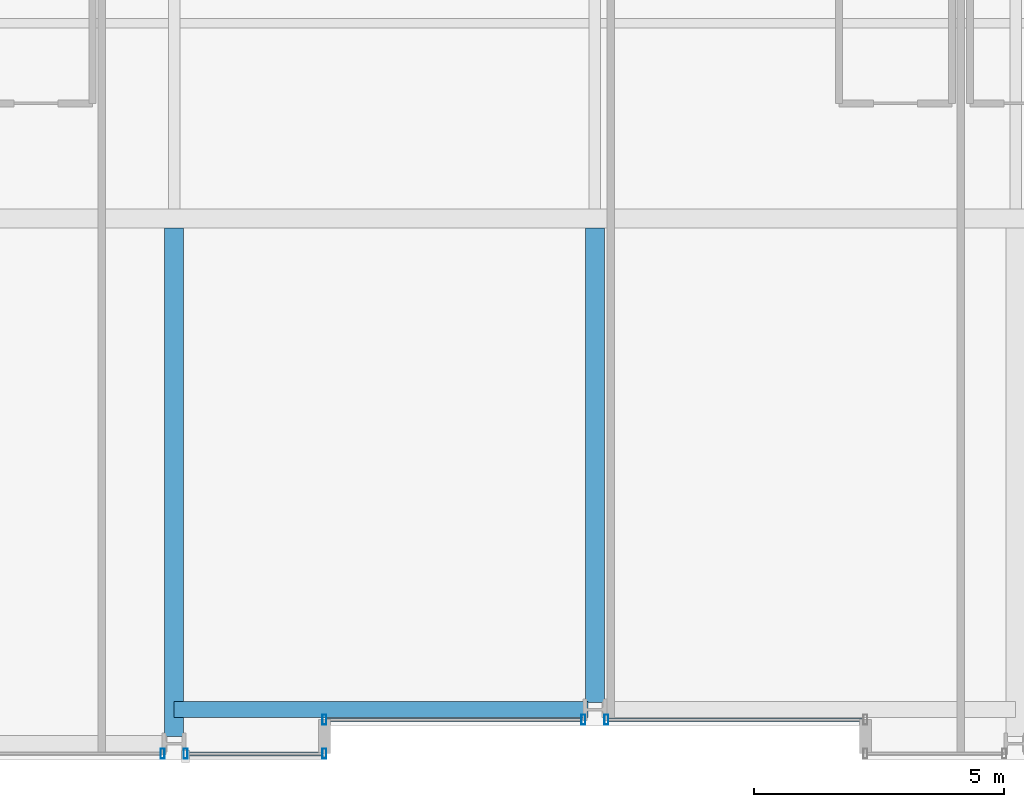
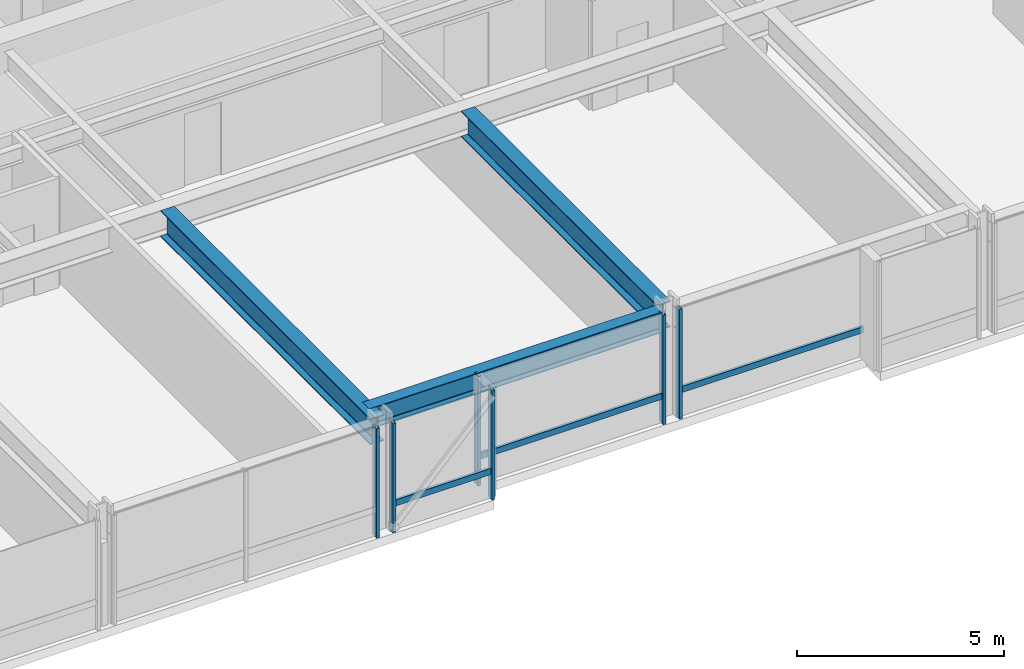
# One storey, part 5 of 37: 9 members, 3 beams, 4 elements without a shape of their own.
"""IFC4 building model written with IfcOpenShell, lengths in metres."""

from ifc_helpers import new_model, si_unit, direction, frame, origin, origin_2d, place, context, subcontext, project, spatial, hollow_rectangle, i_section, extrude, material, layer, layer_set, material_profile, profile_set, type_object, element, aggregate, save


model = new_model("IFC4")

# Units and contexts
model_context = context("Model", 3, precision=1e-05, world=origin(), true_north=direction((0.0, 1.0)))
body_context = subcontext(model_context, "Body", "Model", "MODEL_VIEW")
ifc_project = project(units=[si_unit("LENGTHUNIT", "METRE"), si_unit("AREAUNIT", "SQUARE_METRE"), si_unit("VOLUMEUNIT", "CUBIC_METRE"), si_unit("PLANEANGLEUNIT", "RADIAN"), si_unit("MASSUNIT", "GRAM", prefix="KILO")], contexts=[model_context])

# Site, building, storey
site_placement = place(None, origin())
site = spatial("IfcSite", under=ifc_project, at=site_placement, CompositionType="ELEMENT")
building_placement = place(site_placement, origin())
building = spatial("IfcBuilding", under=site, at=building_placement, Name="Drelvath Grand Hotel", CompositionType="ELEMENT")
storey_placement = place(building_placement, frame((0.0, 0.0, 75.199951171875)))
storey = spatial("IfcBuildingStorey", under=building, at=storey_placement, Name="L18", CompositionType="ELEMENT", Elevation=75.199951171875)

# Curtain wall, member
ifc_material_1 = material(Name="Warm Bronze Anodised Aluminium Frame", Category="aluminium")
ifc_layer = layer(ifc_material_1, 0.199951171875)
ifc_layer_set = layer_set([ifc_layer], Name="Warm Bronze Anodised Aluminium Frame")
curtain_wall_type = type_object("IfcCurtainWallType", Name="Stick Curtain Wall CW-02 Warm Bronze Low-Rise", PredefinedType="NOTDEFINED", material=ifc_layer_set)
curtain_wall_1_placement = place(storey_placement, origin())
curtain_wall_1 = element("IfcCurtainWall", 1, at=curtain_wall_1_placement, inside=storey, type_object=curtain_wall_type, Name="L18 CW-02 Curtain Wall CW02-L18-SM1", PredefinedType="NOTDEFINED")
ifc_material_profile_1 = material_profile(ifc_material_1, hollow_rectangle(XDim=0.074951171875, YDim=0.179931640625, WallThickness=0.0048828125, at=origin_2d()), Name="HSS180X75X5")
ifc_profile_set_1 = profile_set([ifc_material_profile_1], Name="Warm Bronze Anodised Aluminium Frame")
member_type_1 = type_object("IfcMemberType", Name="Curtain Wall Horizontal Transom CW-02 HSS180X75X5", PredefinedType="USERDEFINED", material=ifc_profile_set_1)
member_1_placement = place(storey_placement, frame((-0.26904296875, 0.800048828125, 0.81005859375), z_axis=(-1.0, 0.0, 0.0), x_axis=(0.0, -1.0, 0.0)))
member_1 = element("IfcMember", 2, at=member_1_placement, type_object=member_type_1, Name="CW02-L18-SM1 Sill Transom", ObjectType="TRANSOM", PredefinedType="USERDEFINED", context=body_context, shape_type="SweptSolid", body=[
    extrude(hollow_rectangle(XDim=0.074951171875, YDim=0.179931640625, WallThickness=0.0048828125, at=origin_2d()), origin(), (0.0, 0.0, 1.0), 5.091064453125),
])

curtain_wall_2_placement = place(storey_placement, origin())
curtain_wall_2 = element("IfcCurtainWall", 3, at=curtain_wall_2_placement, inside=storey, type_object=curtain_wall_type, Name="L18 CW-02 Curtain Wall CW02-L18-SM2", PredefinedType="NOTDEFINED")
member_2_placement = place(storey_placement, frame((5.360107421875, 0.800048828125, 0.81005859375), z_axis=(-1.0, 0.0, 0.0), x_axis=(0.0, -1.0, 0.0)))
member_2 = element("IfcMember", 4, at=member_2_placement, type_object=member_type_1, Name="CW02-L18-SM2 Sill Transom", ObjectType="TRANSOM", PredefinedType="USERDEFINED", context=body_context, shape_type="SweptSolid", body=[
    extrude(hollow_rectangle(XDim=0.074951171875, YDim=0.179931640625, WallThickness=0.0048828125, at=origin_2d()), origin(), (0.0, 0.0, 1.0), 5.091064453125),
])

curtain_wall_3_placement = place(storey_placement, origin())
curtain_wall_3 = element("IfcCurtainWall", 5, at=curtain_wall_3_placement, inside=storey, type_object=curtain_wall_type, Name="L18 CW-02 Curtain Wall CW02-L18-SW3", PredefinedType="NOTDEFINED")
member_3_placement = place(storey_placement, frame((-5.43994140625, 0.1201171875, 0.81005859375), z_axis=(-1.0, 0.0, 0.0), x_axis=(0.0, -1.0, 0.0)))
member_3 = element("IfcMember", 6, at=member_3_placement, type_object=member_type_1, Name="CW02-L18-SW3 Sill Transom", ObjectType="TRANSOM", PredefinedType="USERDEFINED", context=body_context, shape_type="SweptSolid", body=[
    extrude(hollow_rectangle(XDim=0.074951171875, YDim=0.179931640625, WallThickness=0.0048828125, at=origin_2d()), origin(), (0.0, 0.0, 1.0), 2.69091796875),
])

# Member
ifc_material_profile_2 = material_profile(ifc_material_1, hollow_rectangle(XDim=0.080078125, YDim=0.199951171875, WallThickness=0.0048828125, at=origin_2d()), Name="HSS200X80X5")
ifc_profile_set_2 = profile_set([ifc_material_profile_2], Name="Warm Bronze Anodised Aluminium Frame")
member_type_2 = type_object("IfcMemberType", Name="Curtain Wall Vertical Mullion CW-02 HSS200X80X5", PredefinedType="MULLION", material=ifc_profile_set_2)
member_4_placement = place(storey_placement, frame((-0.22900390625, 0.800048828125, 0.0), z_axis=(0.0, 0.0, 1.0), x_axis=(1.0, 0.0, 0.0)))
member_4 = element("IfcMember", 7, at=member_4_placement, type_object=member_type_2, Name="CW02-L18-SM1 Mullion 1", PredefinedType="MULLION", context=body_context, shape_type="SweptSolid", body=[
    extrude(hollow_rectangle(XDim=0.080078125, YDim=0.199951171875, WallThickness=0.0048828125, at=origin_2d()), origin(), (0.0, 0.0, 1.0), 3.239990234375),
])

member_5_placement = place(storey_placement, frame((-5.39990234375, 0.800048828125, 0.0), z_axis=(0.0, 0.0, 1.0), x_axis=(1.0, 0.0, 0.0)))
member_5 = element("IfcMember", 8, at=member_5_placement, type_object=member_type_2, Name="CW02-L18-SM1 Mullion 2", PredefinedType="MULLION", context=body_context, shape_type="SweptSolid", body=[
    extrude(hollow_rectangle(XDim=0.080078125, YDim=0.199951171875, WallThickness=0.0048828125, at=origin_2d()), origin(), (0.0, 0.0, 1.0), 3.239990234375),
])

aggregate(curtain_wall_1, [member_4, member_5, member_1])

member_6_placement = place(storey_placement, frame((0.22900390625, 0.800048828125, 0.0), z_axis=(0.0, 0.0, 1.0), x_axis=(1.0, 0.0, 0.0)))
member_6 = element("IfcMember", 9, at=member_6_placement, type_object=member_type_2, Name="CW02-L18-SM2 Mullion 2", PredefinedType="MULLION", context=body_context, shape_type="SweptSolid", body=[
    extrude(hollow_rectangle(XDim=0.080078125, YDim=0.199951171875, WallThickness=0.0048828125, at=origin_2d()), origin(), (0.0, 0.0, 1.0), 3.239990234375),
])

aggregate(curtain_wall_2, [member_6, member_2])

# Curtain wall, member
curtain_wall_4_placement = place(storey_placement, origin())
curtain_wall_4 = element("IfcCurtainWall", 10, at=curtain_wall_4_placement, inside=storey, type_object=curtain_wall_type, Name="L18 CW-02 Curtain Wall CW02-L18-SW2", PredefinedType="NOTDEFINED")
member_7_placement = place(storey_placement, frame((-8.629150390625, 0.1201171875, 0.0), z_axis=(0.0, 0.0, 1.0), x_axis=(1.0, 0.0, 0.0)))
member_7 = element("IfcMember", 11, at=member_7_placement, type_object=member_type_2, Name="CW02-L18-SW2 Mullion 1", PredefinedType="MULLION", context=body_context, shape_type="SweptSolid", body=[
    extrude(hollow_rectangle(XDim=0.080078125, YDim=0.199951171875, WallThickness=0.0048828125, at=origin_2d()), origin(), (0.0, 0.0, 1.0), 3.239990234375),
])
aggregate(curtain_wall_4, [member_7])

# Member
member_8_placement = place(storey_placement, frame((-5.39990234375, 0.1201171875, 0.0), z_axis=(0.0, 0.0, 1.0), x_axis=(1.0, 0.0, 0.0)))
member_8 = element("IfcMember", 12, at=member_8_placement, type_object=member_type_2, Name="CW02-L18-SW3 Mullion 1", PredefinedType="MULLION", context=body_context, shape_type="SweptSolid", body=[
    extrude(hollow_rectangle(XDim=0.080078125, YDim=0.199951171875, WallThickness=0.0048828125, at=origin_2d()), origin(), (0.0, 0.0, 1.0), 3.239990234375),
])

member_9_placement = place(storey_placement, frame((-8.1708984375, 0.1201171875, 0.0), z_axis=(0.0, 0.0, 1.0), x_axis=(1.0, 0.0, 0.0)))
member_9 = element("IfcMember", 13, at=member_9_placement, type_object=member_type_2, Name="CW02-L18-SW3 Mullion 2", PredefinedType="MULLION", context=body_context, shape_type="SweptSolid", body=[
    extrude(hollow_rectangle(XDim=0.080078125, YDim=0.199951171875, WallThickness=0.0048828125, at=origin_2d()), origin(), (0.0, 0.0, 1.0), 3.239990234375),
])

aggregate(curtain_wall_3, [member_8, member_9, member_3])

# Beams
ifc_material_2 = material(Name="Steel ASTM A992 Gr 50", Category="steel")
ifc_material_profile_3 = material_profile(ifc_material_2, i_section(OverallWidth=0.323974609375, OverallDepth=0.611083984375, WebThickness=0.0126953125, FlangeThickness=0.01904296875, FilletRadius=0.02197265625, at=origin_2d()), Name="W24X104")
ifc_profile_set_3 = profile_set([ifc_material_profile_3], Name="Steel ASTM A992 Gr 50")
beam_type_1 = type_object("IfcBeamType", Name="Perimeter Spandrel Beam W24X104", PredefinedType="SPANDREL", material=ifc_profile_set_3)
beam_1_placement = place(storey_placement, frame((-8.39990234375, 1.0, 2.9345703125), z_axis=(1.0, 0.0, 0.0), x_axis=(0.0, 1.0, 0.0)))
element("IfcBeam", 14, at=beam_1_placement, inside=storey, type_object=beam_type_1, Name="L18 Spandrel South Mid W", PredefinedType="SPANDREL", context=body_context, shape_type="SweptSolid", body=[
    extrude(i_section(OverallWidth=0.323974609375, OverallDepth=0.611083984375, WebThickness=0.0126953125, FlangeThickness=0.01904296875, FilletRadius=0.02197265625, at=origin_2d()), origin(), (0.0, 0.0, 1.0), 8.260009765625),
])
ifc_material_profile_4 = material_profile(ifc_material_2, i_section(OverallWidth=0.380615234375, OverallDepth=0.773193359375, WebThickness=0.0166015625, FlangeThickness=0.027099609375, FilletRadius=0.02490234375, at=origin_2d()), Name="W30X173")
ifc_profile_set_4 = profile_set([ifc_material_profile_4], Name="Steel ASTM A992 Gr 50")
beam_type_2 = type_object("IfcBeamType", Name="Primary Floor Girder W30X173", PredefinedType="BEAM", material=ifc_profile_set_4)
beam_2_placement = place(storey_placement, frame((-8.39990234375, 0.4599609375, 2.853515625), z_axis=(0.0, 1.0, 0.0), x_axis=(-1.0, 0.0, 0.0)))
element("IfcBeam", 15, at=beam_2_placement, inside=storey, type_object=beam_type_2, Name="L18 South Wing Girder 4", PredefinedType="BEAM", context=body_context, shape_type="SweptSolid", body=[
    extrude(i_section(OverallWidth=0.380615234375, OverallDepth=0.773193359375, WebThickness=0.0166015625, FlangeThickness=0.027099609375, FilletRadius=0.02490234375, at=origin_2d()), origin(), (0.0, 0.0, 1.0), 10.149658203125),
])
beam_3_placement = place(storey_placement, frame((0.0, 1.139892578125, 2.853515625), z_axis=(0.0, 1.0, 0.0), x_axis=(-1.0, 0.0, 0.0)))
element("IfcBeam", 16, at=beam_3_placement, inside=storey, type_object=beam_type_2, Name="L18 South Wing Girder 5", PredefinedType="BEAM", context=body_context, shape_type="SweptSolid", body=[
    extrude(i_section(OverallWidth=0.380615234375, OverallDepth=0.773193359375, WebThickness=0.0166015625, FlangeThickness=0.027099609375, FilletRadius=0.02490234375, at=origin_2d()), origin(), (0.0, 0.0, 1.0), 9.4697265625),
])

save(model, "model.ifc")
